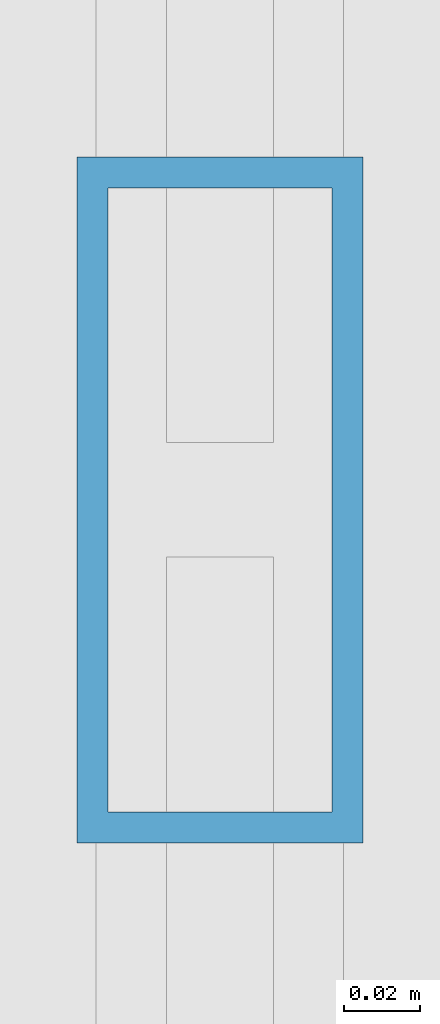
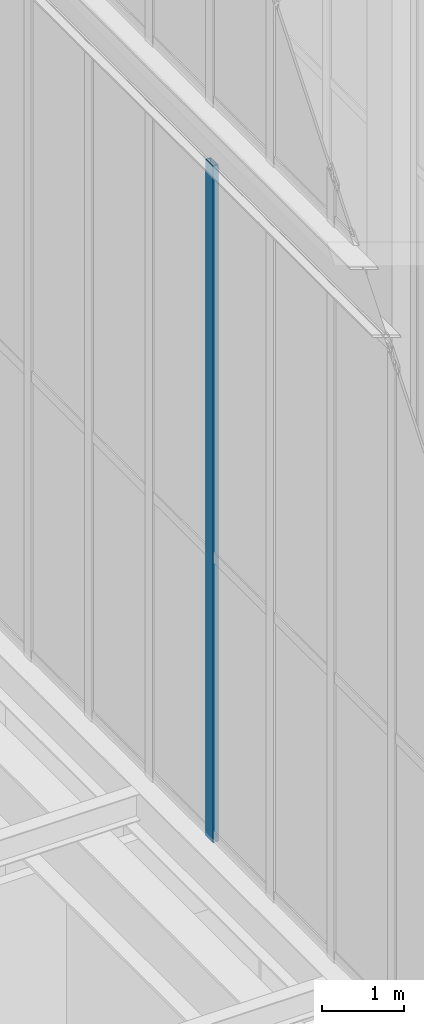
# One storey, part 62 of 135: 1 member, 1 element without a shape of its own.
"""IFC4 building model written with IfcOpenShell, lengths in metres."""

from ifc_helpers import new_model, si_unit, direction, frame, origin, origin_2d, place, context, subcontext, project, spatial, hollow_rectangle, extrude, source, transform, mapped, material, layer, layer_set, material_profile, profile_set, type_object, element, aggregate, save


model = new_model("IFC4")

# Units and contexts
model_context = context("Model", 3, precision=1e-05, world=origin(), true_north=direction((0.0, 1.0)))
body_context = subcontext(model_context, "Body", "Model", "MODEL_VIEW")
ifc_project = project(units=[si_unit("LENGTHUNIT", "METRE"), si_unit("AREAUNIT", "SQUARE_METRE"), si_unit("VOLUMEUNIT", "CUBIC_METRE"), si_unit("PLANEANGLEUNIT", "RADIAN"), si_unit("MASSUNIT", "GRAM", prefix="KILO")], contexts=[model_context])

# Site, building, storey
site_placement = place(None, origin())
site = spatial("IfcSite", under=ifc_project, at=site_placement, CompositionType="ELEMENT")
building_placement = place(site_placement, origin())
building = spatial("IfcBuilding", under=site, at=building_placement, Name="Giltprow Tower", CompositionType="ELEMENT")
storey_placement = place(building_placement, frame((0.0, 0.0, 352.699951171875)))
storey = spatial("IfcBuildingStorey", under=building, at=storey_placement, Name="L92", CompositionType="ELEMENT", Elevation=352.699951171875)

# Curtain wall, member
ifc_material = material(Name="Anodized bronze", Category="metal")
ifc_layer = layer(ifc_material, 0.179931640625, Name="Anodized bronze")
ifc_layer_set = layer_set([ifc_layer], Name="Anodized bronze")
curtain_wall_type = type_object("IfcCurtainWallType", Name="CW-CROWN-LANTERN", PredefinedType="NOTDEFINED", material=ifc_layer_set)
curtain_wall_placement = place(storey_placement, origin())
curtain_wall = element("IfcCurtainWall", 1, at=curtain_wall_placement, inside=storey, type_object=curtain_wall_type, Name="Crown East Lower Lantern Glazing 6", PredefinedType="NOTDEFINED")
ifc_material_profile = material_profile(ifc_material, hollow_rectangle(XDim=0.074951171875, YDim=0.179931640625, WallThickness=0.008056640625, at=origin_2d()), Name="RHS 180x75x8")
ifc_profile_set = profile_set([ifc_material_profile], Name="Anodized bronze")
member_type = type_object("IfcMemberType", Name="CW-MULLION-180x75", PredefinedType="MULLION", material=ifc_profile_set)
shared_shape = source(origin(), body_context, "Body", "SweptSolid", [
    extrude(hollow_rectangle(XDim=0.074951171875, YDim=0.179931640625, WallThickness=0.008056640625, at=origin_2d()), origin(), (0.0, 0.0, 1.0), 10.030029296875),
])
member_placement = place(storey_placement, frame((44.300048828125, 31.2109375, 6.35009765625), z_axis=(0.0, 0.0, 1.0), x_axis=(1.0, 0.0, 0.0)))
member = element("IfcMember", 2, at=member_placement, type_object=member_type, Name="Crown East Lower Lantern Glazing 6 Mullion 5", PredefinedType="MULLION", context=body_context, shape_type="MappedRepresentation", body=[
    mapped(shared_shape, transform((0.0, 0.0, 0.0), x_axis=(1.0, 0.0, 0.0), y_axis=(0.0, 1.0, 0.0), z_axis=(0.0, 0.0, 1.0), scale=1.0)),
])
aggregate(curtain_wall, [member])

save(model, "model.ifc")
